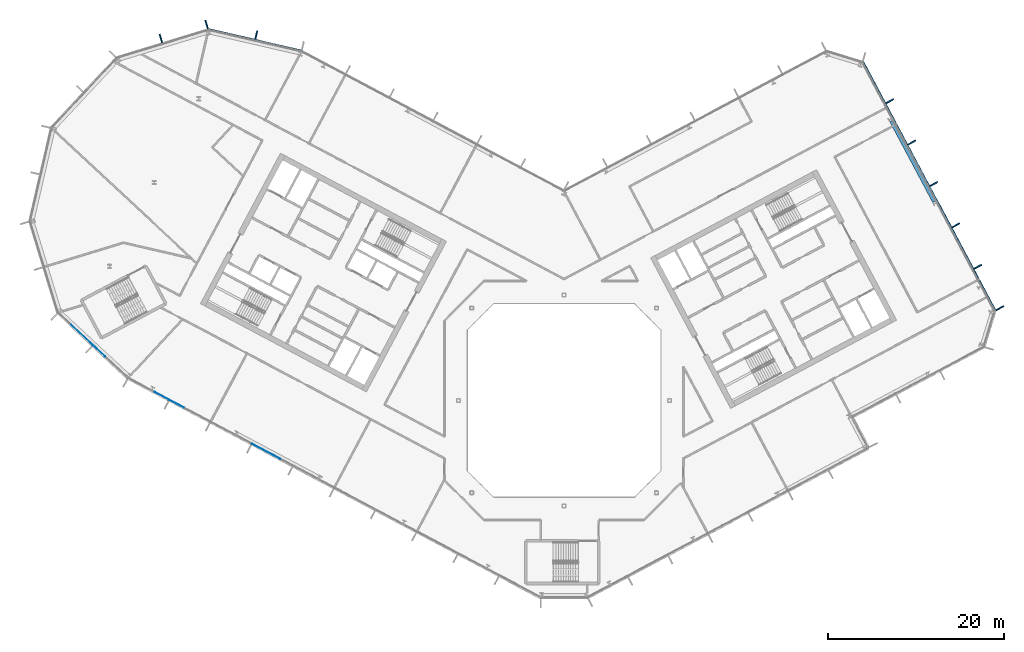
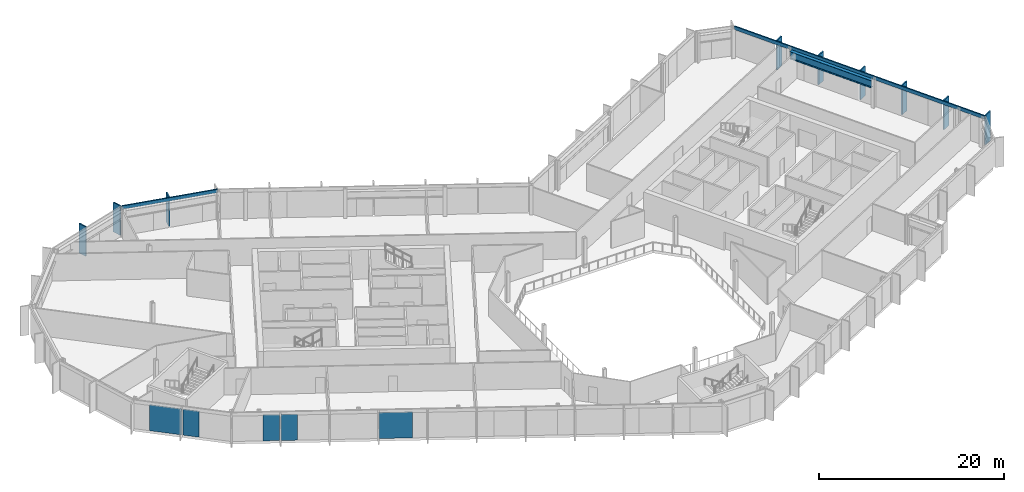
# One storey, part 10 of 26: 11 members, 5 plates, 1 beam, 5 elements without a shape of their own.
"""IFC4 building model written with IfcOpenShell, lengths in metres."""

from ifc_helpers import new_model, si_unit, direction, frame, origin, origin_2d, place, context, subcontext, project, spatial, rectangle, i_section, extrude, material, layer, layer_set, material_profile, profile_set, type_object, element, aggregate, save


model = new_model("IFC4")

# Units and contexts
model_context = context("Model", 3, precision=1e-05, world=origin(), true_north=direction((0.0, 1.0)))
body_context = subcontext(model_context, "Body", "Model", "MODEL_VIEW")
ifc_project = project(units=[si_unit("LENGTHUNIT", "METRE"), si_unit("AREAUNIT", "SQUARE_METRE"), si_unit("VOLUMEUNIT", "CUBIC_METRE"), si_unit("PLANEANGLEUNIT", "RADIAN"), si_unit("MASSUNIT", "GRAM", prefix="KILO")], contexts=[model_context])

# Site, building, storey
site_placement = place(None, origin())
site = spatial("IfcSite", under=ifc_project, at=site_placement, CompositionType="ELEMENT")
building_placement = place(site_placement, origin())
building = spatial("IfcBuilding", under=site, at=building_placement, Name="Cormorant Relay Tower", CompositionType="ELEMENT")
storey_placement = place(building_placement, frame((0.0, 0.0, 228.60009765625)))
storey = spatial("IfcBuildingStorey", under=building, at=storey_placement, Name="L50", CompositionType="ELEMENT", Elevation=228.60009765625)

# Curtain wall, members
ifc_material_1 = material(Name="Aluminium 6063-T6 anodised bronze", Category="aluminium")
ifc_layer_1 = layer(ifc_material_1, 0.199951171875)
ifc_layer_set_1 = layer_set([ifc_layer_1], Name="CW1 unitised bronze curtain wall with vertical fins")
curtain_wall_type = type_object("IfcCurtainWallType", Name="CW1 unitised bronze curtain wall with vertical fins", PredefinedType="NOTDEFINED", material=ifc_layer_set_1)
curtain_wall_1_placement = place(storey_placement, origin())
curtain_wall_1 = element("IfcCurtainWall", 1, at=curtain_wall_1_placement, inside=storey, type_object=curtain_wall_type, Name="CW1 curtain wall 6", PredefinedType="NOTDEFINED")
ifc_material_2 = material(Name="Aluminium 6063-T6 anodised bronze", Category="aluminium")
ifc_material_profile_1 = material_profile(ifc_material_2, rectangle(XDim=0.14990234375, YDim=1.0, at=origin_2d()), Name="AL 150x1000")
ifc_profile_set_1 = profile_set([ifc_material_profile_1], Name="Aluminium 6063-T6 anodised bronze")
member_type_1 = type_object("IfcMemberType", Name="CW1 bronze fin mullion 150 x 1000", PredefinedType="MULLION", material=ifc_profile_set_1)
member_1_placement = place(storey_placement, frame((49.572021484375, 10.501953125, 0.0), z_axis=(0.0, 0.0, 1.0), x_axis=(-0.469471562786, 0.882947592859, 0.0)))
member_1 = element("IfcMember", 2, at=member_1_placement, type_object=member_type_1, Name="CW1 fin 6.1", PredefinedType="MULLION", context=body_context, shape_type="SweptSolid", body=[
    extrude(rectangle(XDim=0.14990234375, YDim=1.0, at=origin_2d()), origin(), (0.0, 0.0, 1.0), 3.89990234375),
])
member_2_placement = place(storey_placement, frame((47.068359375, 15.211181640625, 0.0), z_axis=(0.0, 0.0, 1.0), x_axis=(-0.469471562786, 0.882947592859, 0.0)))
member_2 = element("IfcMember", 3, at=member_2_placement, type_object=member_type_1, Name="CW1 fin 6.2", PredefinedType="MULLION", context=body_context, shape_type="SweptSolid", body=[
    extrude(rectangle(XDim=0.14990234375, YDim=1.0, at=origin_2d()), origin(), (0.0, 0.0, 1.0), 3.89990234375),
])
member_3_placement = place(storey_placement, frame((44.564453125, 19.920166015625, 0.0), z_axis=(0.0, 0.0, 1.0), x_axis=(-0.469471562786, 0.882947592859, 0.0)))
member_3 = element("IfcMember", 4, at=member_3_placement, type_object=member_type_1, Name="CW1 fin 6.3", PredefinedType="MULLION", context=body_context, shape_type="SweptSolid", body=[
    extrude(rectangle(XDim=0.14990234375, YDim=1.0, at=origin_2d()), origin(), (0.0, 0.0, 1.0), 3.89990234375),
])
member_4_placement = place(storey_placement, frame((42.060546875, 24.629150390625, 0.0), z_axis=(0.0, 0.0, 1.0), x_axis=(-0.469471562786, 0.882947592859, 0.0)))
member_4 = element("IfcMember", 5, at=member_4_placement, type_object=member_type_1, Name="CW1 fin 6.4", PredefinedType="MULLION", context=body_context, shape_type="SweptSolid", body=[
    extrude(rectangle(XDim=0.14990234375, YDim=1.0, at=origin_2d()), origin(), (0.0, 0.0, 1.0), 3.89990234375),
])
member_5_placement = place(storey_placement, frame((39.556884765625, 29.338134765625, 0.0), z_axis=(0.0, 0.0, 1.0), x_axis=(-0.469471562786, 0.882947592859, 0.0)))
member_5 = element("IfcMember", 6, at=member_5_placement, type_object=member_type_1, Name="CW1 fin 6.5", PredefinedType="MULLION", context=body_context, shape_type="SweptSolid", body=[
    extrude(rectangle(XDim=0.14990234375, YDim=1.0, at=origin_2d()), origin(), (0.0, 0.0, 1.0), 3.89990234375),
])
member_6_placement = place(storey_placement, frame((37.052978515625, 34.04736328125, 0.0), z_axis=(0.0, 0.0, 1.0), x_axis=(-0.469471562786, 0.882947592859, 0.0)))
member_6 = element("IfcMember", 7, at=member_6_placement, type_object=member_type_1, Name="CW1 fin 6.6", PredefinedType="MULLION", context=body_context, shape_type="SweptSolid", body=[
    extrude(rectangle(XDim=0.14990234375, YDim=1.0, at=origin_2d()), origin(), (0.0, 0.0, 1.0), 3.89990234375),
])

# Curtain wall, member
curtain_wall_2_placement = place(storey_placement, origin())
curtain_wall_2 = element("IfcCurtainWall", 8, at=curtain_wall_2_placement, inside=storey, type_object=curtain_wall_type, Name="CW1 curtain wall 10", PredefinedType="NOTDEFINED")
member_7_placement = place(storey_placement, frame((-35.01220703125, 41.57275390625, 0.0), z_axis=(0.0, 0.0, 1.0), x_axis=(-0.974370064785, 0.224951054344, 0.0)))
member_7 = element("IfcMember", 9, at=member_7_placement, type_object=member_type_1, Name="CW1 fin 10.2", PredefinedType="MULLION", context=body_context, shape_type="SweptSolid", body=[
    extrude(rectangle(XDim=0.14990234375, YDim=1.0, at=origin_2d()), origin(), (0.0, 0.0, 1.0), 3.89990234375),
])

# Curtain wall, members
curtain_wall_3_placement = place(storey_placement, origin())
curtain_wall_3 = element("IfcCurtainWall", 10, at=curtain_wall_3_placement, inside=storey, type_object=curtain_wall_type, Name="CW1 curtain wall 11", PredefinedType="NOTDEFINED")
member_8_placement = place(storey_placement, frame((-40.670166015625, 42.78271484375, 0.0), z_axis=(0.0, 0.0, 1.0), x_axis=(-0.956304755963, -0.292371704723, 0.0)))
member_8 = element("IfcMember", 11, at=member_8_placement, type_object=member_type_1, Name="CW1 fin 11.1", PredefinedType="MULLION", context=body_context, shape_type="SweptSolid", body=[
    extrude(rectangle(XDim=0.14990234375, YDim=1.0, at=origin_2d()), origin(), (0.0, 0.0, 1.0), 3.89990234375),
])
member_9_placement = place(storey_placement, frame((-45.867919921875, 41.193603515625, 0.0), z_axis=(0.0, 0.0, 1.0), x_axis=(-0.956304755963, -0.292371704723, 0.0)))
member_9 = element("IfcMember", 12, at=member_9_placement, type_object=member_type_1, Name="CW1 fin 11.2", PredefinedType="MULLION", context=body_context, shape_type="SweptSolid", body=[
    extrude(rectangle(XDim=0.14990234375, YDim=1.0, at=origin_2d()), origin(), (0.0, 0.0, 1.0), 3.89990234375),
])
aggregate(curtain_wall_3, [member_8, member_9])

# Member
ifc_material_3 = material(Name="Aluminium 6063-T6 anodised bronze", Category="aluminium")
ifc_material_profile_2 = material_profile(ifc_material_3, rectangle(XDim=0.159912109375, YDim=0.449951171875, at=origin_2d()), Name="AL 160x450")
ifc_profile_set_2 = profile_set([ifc_material_profile_2], Name="Aluminium 6063-T6 anodised bronze")
member_type_2 = type_object("IfcMemberType", Name="CW1 bronze transom 160 x 450", PredefinedType="USERDEFINED", material=ifc_profile_set_2)
member_10_placement = place(storey_placement, frame((49.06005859375, 10.229736328125, 3.6748046875), z_axis=(-0.46947036835, 0.882948227951, 0.0), x_axis=(-0.882948227951, -0.46947036835, 0.0)))
member_10 = element("IfcMember", 13, at=member_10_placement, type_object=member_type_2, Name="CW1 transom 6", ObjectType="TRANSOM", PredefinedType="USERDEFINED", context=body_context, shape_type="SweptSolid", body=[
    extrude(rectangle(XDim=0.159912109375, YDim=0.449951171875, at=origin_2d()), origin(), (0.0, 0.0, 1.0), 31.999755859375),
])

aggregate(curtain_wall_1, [member_1, member_2, member_3, member_4, member_5, member_6, member_10])

member_11_placement = place(storey_placement, frame((-29.8466796875, 39.784912109375, 3.6748046875), z_axis=(-0.974365070969, 0.224972683844, 0.0), x_axis=(-0.224972683844, -0.974365070969, 0.0)))
member_11 = element("IfcMember", 14, at=member_11_placement, type_object=member_type_2, Name="CW1 transom 10", ObjectType="TRANSOM", PredefinedType="USERDEFINED", context=body_context, shape_type="SweptSolid", body=[
    extrude(rectangle(XDim=0.159912109375, YDim=0.449951171875, at=origin_2d()), origin(), (0.0, 0.0, 1.0), 10.870361328125),
])

aggregate(curtain_wall_2, [member_7, member_11])

# Beam
ifc_material_4 = material(Name="Steel ASTM A992 (Fy 345 MPa)", Category="steel")
ifc_material_profile_3 = material_profile(ifc_material_4, i_section(OverallWidth=0.4013671875, OverallDepth=0.990478515625, WebThickness=0.0166015625, FlangeThickness=0.031005859375, FilletRadius=0.030029296875, at=origin_2d()), Name="W1000x320")
ifc_profile_set_3 = profile_set([ifc_material_profile_3], Name="Steel ASTM A992 (Fy 345 MPa)")
beam_type = type_object("IfcBeamType", Name="Spandrel W1000x320", PredefinedType="SPANDREL", material=ifc_profile_set_3)
beam_placement = place(storey_placement, frame((42.109619140625, 22.61865234375, 3.044677734375), z_axis=(-0.469476269233, 0.882945090381, 0.0), x_axis=(-0.882945090381, -0.469476269233, 0.0)))
element("IfcBeam", 15, at=beam_placement, inside=storey, type_object=beam_type, Name="Spandrel beam L50-006", PredefinedType="SPANDREL", context=body_context, shape_type="SweptSolid", body=[
    extrude(i_section(OverallWidth=0.4013671875, OverallDepth=0.990478515625, WebThickness=0.0166015625, FlangeThickness=0.031005859375, FilletRadius=0.030029296875, at=origin_2d()), origin(), (0.0, 0.0, 1.0), 10.396484375),
])

# Curtain wall, plate
curtain_wall_4_placement = place(storey_placement, origin())
curtain_wall_4 = element("IfcCurtainWall", 16, at=curtain_wall_4_placement, inside=storey, type_object=curtain_wall_type, Name="CW1 curtain wall 15", PredefinedType="NOTDEFINED")
ifc_material_5 = material(Name="Tinted laminated glass", Category="glass")
ifc_layer_2 = layer(ifc_material_5, 0.0400390625)
ifc_layer_set_2 = layer_set([ifc_layer_2], Name="CW1 tinted vision panel 1800 module")
plate_type_1 = type_object("IfcPlateType", Name="CW1 tinted vision panel 1800 module", PredefinedType="CURTAIN_PANEL", material=ifc_layer_set_2)
plate_1_placement = place(storey_placement, frame((-52.8671875, 5.611572265625, 0.0), z_axis=(0.0, 0.0, 1.0), x_axis=(0.731353701619, -0.681998360062, 0.0)))
plate_1 = element("IfcPlate", 17, at=plate_1_placement, type_object=plate_type_1, Name="CW1 panel V02", PredefinedType="CURTAIN_PANEL", context=body_context, shape_type="SweptSolid", body=[
    extrude(rectangle(XDim=1.800048828125, YDim=0.0400390625, at=origin_2d()), origin(), (0.0, 0.0, 1.0), 3.449951171875),
])

# Curtain wall, plates
curtain_wall_5_placement = place(storey_placement, origin())
curtain_wall_5 = element("IfcCurtainWall", 18, at=curtain_wall_5_placement, inside=storey, type_object=curtain_wall_type, Name="CW1 curtain wall 16", PredefinedType="NOTDEFINED")
plate_2_placement = place(storey_placement, frame((-45.767578125, 0.5283203125, 0.0), z_axis=(0.0, 0.0, 1.0), x_axis=(0.882947592859, -0.469471562786, 0.0)))
plate_2 = element("IfcPlate", 19, at=plate_2_placement, type_object=plate_type_1, Name="CW1 panel V01", PredefinedType="CURTAIN_PANEL", context=body_context, shape_type="SweptSolid", body=[
    extrude(rectangle(XDim=1.800048828125, YDim=0.0400390625, at=origin_2d()), origin(), (0.0, 0.0, 1.0), 3.449951171875),
])
plate_3_placement = place(storey_placement, frame((-44.0458984375, -0.38720703125, 0.0), z_axis=(0.0, 0.0, 1.0), x_axis=(0.882947592859, -0.469471562786, 0.0)))
plate_3 = element("IfcPlate", 20, at=plate_3_placement, type_object=plate_type_1, Name="CW1 panel V02", PredefinedType="CURTAIN_PANEL", context=body_context, shape_type="SweptSolid", body=[
    extrude(rectangle(XDim=1.800048828125, YDim=0.0400390625, at=origin_2d()), origin(), (0.0, 0.0, 1.0), 3.449951171875),
])

# Plate
ifc_material_6 = material(Name="Tinted laminated glass", Category="glass")
ifc_layer_3 = layer(ifc_material_6, 0.0400390625)
ifc_layer_set_3 = layer_set([ifc_layer_3], Name="CW1 tinted vision panel 3600 module")
plate_type_2 = type_object("IfcPlateType", Name="CW1 tinted vision panel 3600 module", PredefinedType="CURTAIN_PANEL", material=ifc_layer_set_3)
plate_4_placement = place(storey_placement, frame((-54.951416015625, 7.55517578125, 0.0), z_axis=(0.0, 0.0, 1.0), x_axis=(0.731353701619, -0.681998360062, 0.0)))
plate_4 = element("IfcPlate", 21, at=plate_4_placement, type_object=plate_type_2, Name="CW1 panel V01", PredefinedType="CURTAIN_PANEL", context=body_context, shape_type="SweptSolid", body=[
    extrude(rectangle(XDim=3.60009765625, YDim=0.0400390625, at=origin_2d()), origin(), (0.0, 0.0, 1.0), 3.449951171875),
])

aggregate(curtain_wall_4, [plate_4, plate_1])

plate_5_placement = place(storey_placement, frame((-33.862548828125, -5.801513671875, 0.0), z_axis=(0.0, 0.0, 1.0), x_axis=(0.882947592859, -0.469471562786, 0.0)))
plate_5 = element("IfcPlate", 22, at=plate_5_placement, type_object=plate_type_2, Name="CW1 panel V04", PredefinedType="CURTAIN_PANEL", context=body_context, shape_type="SweptSolid", body=[
    extrude(rectangle(XDim=3.60009765625, YDim=0.0400390625, at=origin_2d()), origin(), (0.0, 0.0, 1.0), 3.449951171875),
])

aggregate(curtain_wall_5, [plate_2, plate_3, plate_5])

save(model, "model.ifc")
